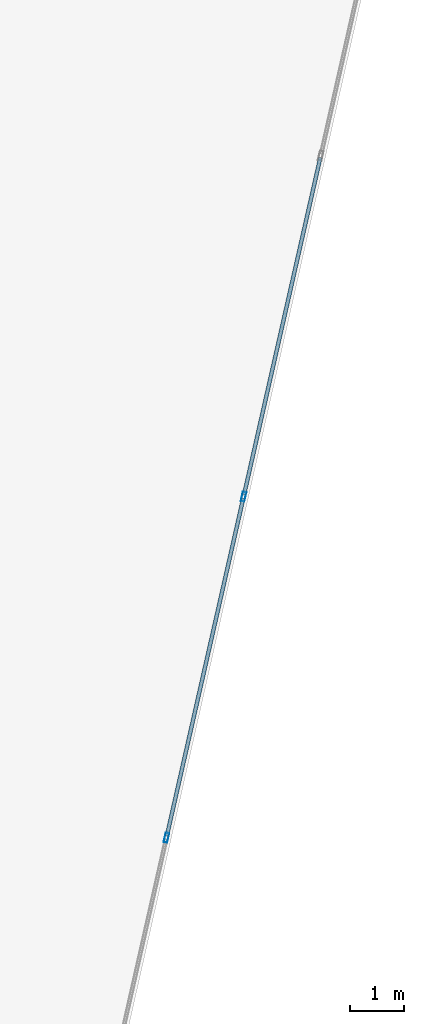
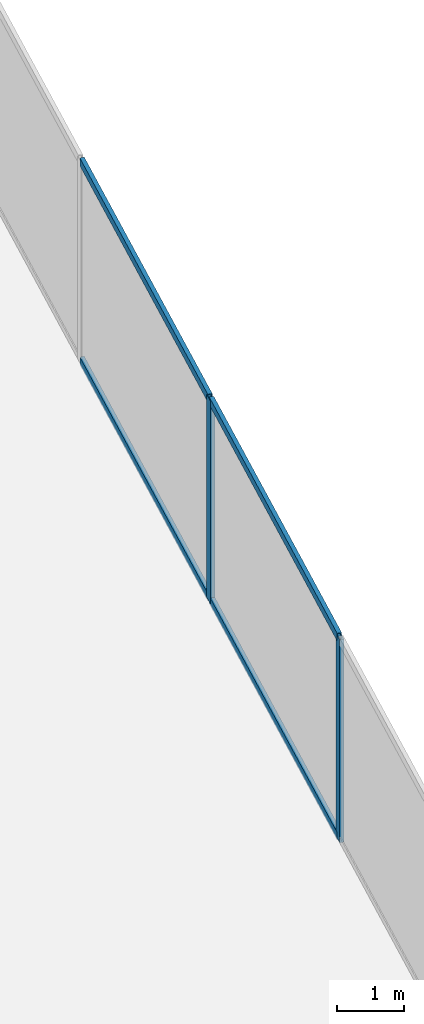
# One storey, part 13 of 26: 6 members, 1 element without a shape of its own.
"""IFC4 building model written with IfcOpenShell, lengths in metres."""

import ifcopenshell
import ifcopenshell.guid

model = None  # the IFC model being written
_history = None  # IfcOwnerHistory: only IFC2X3 demands one
_inside = {}  # id of a spatial element -> (the spatial element, [elements in it])
_under = {}  # id of a project, library or spatial element -> (it, [spatial elements below it])
_declared = {}  # id of a project -> (the project, [libraries it declares])
_typed = {}  # id of a type object -> (the type object, [elements of that type])
_made_of = {}  # id of a material, layer set ... -> (it, [elements and type objects made of it])


def new_model(schema):
    """Start an empty IFC model of exactly this schema.

    Asked for "IFC4X3", IfcOpenShell would pick the latest addendum, in which some entities
    have other attributes; the version numbers below select the first issue.
    IFC2X3 requires an IfcOwnerHistory on every rooted entity: one is made here for all.
    """
    global model, _history
    if schema == "IFC4X3":
        model = ifcopenshell.file(schema_version=(4, 3, 0, 0))
    else:
        model = ifcopenshell.file(schema=schema)
    _inside.clear()
    _under.clear()
    _declared.clear()
    _typed.clear()
    _made_of.clear()
    _history = None
    if model.schema == "IFC2X3":
        org = make("IfcOrganization", Name="unknown")
        user = make(
            "IfcPersonAndOrganization",
            ThePerson=make("IfcPerson", FamilyName="unknown"),
            TheOrganization=org,
        )
        app = make(
            "IfcApplication",
            ApplicationDeveloper=org,
            Version="unknown",
            ApplicationFullName="unknown",
            ApplicationIdentifier="unknown",
        )
        _history = make(
            "IfcOwnerHistory",
            OwningUser=user,
            OwningApplication=app,
            ChangeAction="ADDED",
            CreationDate=0,
        )
    return model


def make(cls, **values):
    """One entity of the class cls with the attributes given. An attribute that is None is left unset."""
    return model.create_entity(
        cls, **{name: value for name, value in values.items() if value is not None}
    )


def rooted(cls, **values):
    """An entity with a GlobalId (a new one), such as an element, a storey or a relation."""
    return make(cls, GlobalId=ifcopenshell.guid.new(), OwnerHistory=_history, **values)


def si_unit(unit_type, name, prefix=None):
    """IfcSIUnit, for example si_unit("LENGTHUNIT", "METRE", prefix="MILLI")."""
    return make("IfcSIUnit", UnitType=unit_type, Prefix=prefix, Name=name)


def assignment(units):
    """IfcUnitAssignment: the units of a project."""
    return None if units is None else make("IfcUnitAssignment", Units=units)


def point(xyz):
    """IfcCartesianPoint."""
    return None if xyz is None else make("IfcCartesianPoint", Coordinates=xyz)


def direction(xyz):
    """IfcDirection."""
    return None if xyz is None else make("IfcDirection", DirectionRatios=xyz)


def frame(location, z_axis=None, x_axis=None):
    """IfcAxis2Placement3D, a coordinate frame: its origin and axes. An axis left out is left unset."""
    return make(
        "IfcAxis2Placement3D",
        Location=point(location),
        Axis=direction(z_axis),
        RefDirection=direction(x_axis),
    )


def frame_2d(location, x_axis=None):
    """IfcAxis2Placement2D, a coordinate frame in the plane: its origin and x axis."""
    return make(
        "IfcAxis2Placement2D", Location=point(location), RefDirection=direction(x_axis)
    )


def origin():
    """The frame at (0, 0, 0) with its axes left unset."""
    return frame((0.0, 0.0, 0.0))


def origin_2d():
    """The frame at (0, 0) in the plane with its x axis left unset."""
    return frame_2d((0.0, 0.0))


def place(relative_to, where):
    """IfcLocalPlacement: puts the frame where relative to a parent placement (None: the world)."""
    return make(
        "IfcLocalPlacement", PlacementRelTo=relative_to, RelativePlacement=where
    )


def context(
    kind, dimensions, precision=None, world=None, true_north=None, identifier=None
):
    """IfcGeometricRepresentationContext, for example the 3D "Model" context."""
    return make(
        "IfcGeometricRepresentationContext",
        ContextIdentifier=identifier,
        ContextType=kind,
        CoordinateSpaceDimension=dimensions,
        Precision=precision,
        WorldCoordinateSystem=world,
        TrueNorth=true_north,
    )


def subcontext(parent, identifier, kind, view, scale=None):
    """IfcGeometricRepresentationSubContext, for example "Body" below "Model"."""
    return make(
        "IfcGeometricRepresentationSubContext",
        ContextIdentifier=identifier,
        ContextType=kind,
        ParentContext=parent,
        TargetScale=scale,
        TargetView=view,
    )


def project(units=None, contexts=None):
    """IfcProject with its units and contexts."""
    return rooted(
        "IfcProject",
        Name="project",
        RepresentationContexts=contexts,
        UnitsInContext=assignment(units),
    )


def spatial(cls, under=None, at=None, **own):
    """A site, building, storey or space (cls), placed at a placement, below another one or the project."""
    s = rooted(cls, ObjectPlacement=at, **own)
    if under is not None:
        _under.setdefault(under.id(), (under, []))[1].append(s)
    return s


def profile(cls, at=None, kind="AREA", **sizes):
    """A parametric profile (cls). Its sizes go by their IFC names, for example OverallWidth=200.0."""
    return make(cls, ProfileType=kind, Position=at, **sizes)


def hollow_rectangle(**sizes):
    """IfcRectangleHollowProfileDef."""
    return profile("IfcRectangleHollowProfileDef", **sizes)


def extrude(swept, where, along, depth):
    """IfcExtrudedAreaSolid: the profile swept, set in the frame where, extruded along a direction by depth."""
    return make(
        "IfcExtrudedAreaSolid",
        SweptArea=swept,
        Position=where,
        ExtrudedDirection=direction(along),
        Depth=depth,
    )


def shape(context_of_items, identifier, shape_type, items):
    """IfcShapeRepresentation: the items that make up one representation, for example the "Body"."""
    return make(
        "IfcShapeRepresentation",
        ContextOfItems=context_of_items,
        RepresentationIdentifier=identifier,
        RepresentationType=shape_type,
        Items=items,
    )


def source(mapping_origin, context_of_items, identifier, shape_type, items):
    """IfcRepresentationMap: a shape defined once, which mapped items show again and again."""
    return make(
        "IfcRepresentationMap",
        MappingOrigin=mapping_origin,
        MappedRepresentation=shape(context_of_items, identifier, shape_type, items),
    )


def transform(
    local_origin,
    x_axis=None,
    y_axis=None,
    z_axis=None,
    scale=None,
    scale2=None,
    scale3=None,
    uniform=True,
):
    """IfcCartesianTransformationOperator3D, or its non-uniform kind. x_axis, y_axis, z_axis: its Axis1, 2, 3."""
    if uniform:
        return make(
            "IfcCartesianTransformationOperator3D",
            Axis1=direction(x_axis),
            Axis2=direction(y_axis),
            LocalOrigin=point(local_origin),
            Scale=scale,
            Axis3=direction(z_axis),
        )
    return make(
        "IfcCartesianTransformationOperator3DnonUniform",
        Axis1=direction(x_axis),
        Axis2=direction(y_axis),
        LocalOrigin=point(local_origin),
        Scale=scale,
        Axis3=direction(z_axis),
        Scale2=scale2,
        Scale3=scale3,
    )


def mapped(mapping_source, mapping_target):
    """IfcMappedItem: shows the shape of a source again, moved by a transform."""
    return make(
        "IfcMappedItem", MappingSource=mapping_source, MappingTarget=mapping_target
    )


def material(Name=None, Category=None):
    """IfcMaterial."""
    return make("IfcMaterial", Name=Name, Category=Category)


def material_profile(
    of_material, cross_section, Name=None, Category=None, Priority=None
):
    """IfcMaterialProfile: a cross section and its material."""
    return make(
        "IfcMaterialProfile",
        Name=Name,
        Material=of_material,
        Profile=cross_section,
        Priority=Priority,
        Category=Category,
    )


def profile_set(profiles, Name=None, composite=None):
    """IfcMaterialProfileSet."""
    return make(
        "IfcMaterialProfileSet",
        Name=Name,
        MaterialProfiles=profiles,
        CompositeProfile=composite,
    )


def made_of(thing, what):
    """Note that an element or type object is made of a material, layer set ...; save() writes the relation."""
    if what is not None:
        _made_of.setdefault(what.id(), (what, []))[1].append(thing)
    return thing


def type_object(cls, material=None, **own):
    """A type object (cls), such as IfcWallType, which elements share."""
    return made_of(rooted(cls, **own), material)


def type_shapes(of_type, sources):
    """Give a type object the sources (RepresentationMaps) that its elements show as mapped items."""
    of_type.RepresentationMaps = sources


def element(
    cls,
    number,
    at=None,
    inside=None,
    cuts=None,
    type_object=None,
    material=None,
    context=None,
    identifier="Body",
    shape_type=None,
    held_by="IfcProductDefinitionShape",
    body=None,
    shapes=None,
    **own,
):
    """One element of the class cls, such as IfcWall. Its Tag is "e" and its number.

    at: its placement. inside: the storey or other place that contains it. cuts: it is an
    opening in that element (IfcRelVoidsElement). A single representation is given by context,
    identifier, shape_type and body (its items); several are given by shapes. held_by: the class
    of the entity that holds the representations. save() writes the other relations.
    """
    e = rooted(cls, Tag="e%d" % number, ObjectPlacement=at, **own)
    if body is not None:
        shapes = [shape(context, identifier, shape_type, body)]
    if shapes is not None:
        e.Representation = make(held_by, Representations=shapes)
    if inside is not None:
        _inside.setdefault(inside.id(), (inside, []))[1].append(e)
    if cuts is not None:
        rooted(
            "IfcRelVoidsElement", RelatingBuildingElement=cuts, RelatedOpeningElement=e
        )
    if type_object is not None:
        _typed.setdefault(type_object.id(), (type_object, []))[1].append(e)
    return made_of(e, material)


def aggregate(whole, parts):
    """IfcRelAggregates: a whole, such as a stair, and the parts it consists of."""
    return rooted("IfcRelAggregates", RelatingObject=whole, RelatedObjects=parts)


def save(model, path):
    """Write the relations noted so far, then the file.

    IfcRelAggregates (storeys below a building ...), IfcRelContainedInSpatialStructure (elements
    in a storey), IfcRelDefinesByType, IfcRelAssociatesMaterial and IfcRelDeclares: one each for
    every whole, place, type object, material and project.
    """
    for whole, parts in _under.values():
        aggregate(whole, parts)
    for where, things in _inside.values():
        rooted(
            "IfcRelContainedInSpatialStructure",
            RelatedElements=things,
            RelatingStructure=where,
        )
    for kind, things in _typed.values():
        rooted("IfcRelDefinesByType", RelatedObjects=things, RelatingType=kind)
    for what, things in _made_of.values():
        rooted("IfcRelAssociatesMaterial", RelatedObjects=things, RelatingMaterial=what)
    for by, libraries in _declared.values():
        rooted("IfcRelDeclares", RelatingContext=by, RelatedDefinitions=libraries)
    model.write(path)


model = new_model("IFC4")

# Units and contexts
model_context = context("Model", 3, precision=1e-05, world=origin(), true_north=direction((0.0, 1.0)))
body_context = subcontext(model_context, "Body", "Model", "MODEL_VIEW")
ifc_project = project(units=[si_unit("LENGTHUNIT", "METRE"), si_unit("AREAUNIT", "SQUARE_METRE"), si_unit("VOLUMEUNIT", "CUBIC_METRE"), si_unit("PLANEANGLEUNIT", "RADIAN"), si_unit("MASSUNIT", "GRAM", prefix="KILO")], contexts=[model_context])

# Site, building, storey
site_placement = place(None, origin())
site = spatial("IfcSite", under=ifc_project, at=site_placement, CompositionType="ELEMENT")
building_placement = place(site_placement, origin())
building = spatial("IfcBuilding", under=site, at=building_placement, Name="Krantzveldt Concourse Tower", CompositionType="ELEMENT")
storey_placement = place(building_placement, frame((0.0, 0.0, 90.050048828125)))
storey = spatial("IfcBuildingStorey", under=building, at=storey_placement, Name="L21", CompositionType="ELEMENT", Elevation=90.050048828125)

# Curtain wall, members
ifc_material = material(Name="Anodised aluminium 6063-T6", Category="aluminium")
curtain_wall_type = type_object("IfcCurtainWallType", Name="CW2", PredefinedType="USERDEFINED", material=ifc_material)
curtain_wall_placement = place(storey_placement, origin())
curtain_wall = element("IfcCurtainWall", 1, at=curtain_wall_placement, inside=storey, type_object=curtain_wall_type, Name="CW-L21-F07", ObjectType="UNITISED CURTAIN WALL", PredefinedType="USERDEFINED")
ifc_material_profile_1 = material_profile(ifc_material, hollow_rectangle(XDim=0.070068359375, YDim=0.179931640625, WallThickness=0.0048828125, at=origin_2d()), Name="Anodised aluminium 6063-T6", Category="aluminium")
ifc_profile_set_1 = profile_set([ifc_material_profile_1], Name="Anodised aluminium 6063-T6 - ALU-MULL 180x70x5")
member_type_1 = type_object("IfcMemberType", Name="CW-MUL-180", PredefinedType="MULLION", material=ifc_profile_set_1)
shared_shape_1 = source(origin(), body_context, "Body", "SweptSolid", [
    extrude(hollow_rectangle(XDim=0.070068359375, YDim=0.179931640625, WallThickness=0.0048828125, at=origin_2d()), origin(), (0.0, 0.0, 1.0), 3.669921875),
])
type_shapes(member_type_1, [shared_shape_1])
member_1_placement = place(storey_placement, frame((58.7353515625, 21.555419921875, 0.0), z_axis=(0.0, 0.0, 1.0), x_axis=(-0.975342320609, 0.220697434579, 0.0)))
member_1 = element("IfcMember", 2, at=member_1_placement, type_object=member_type_1, Name="CW-Z12 mullion 4", PredefinedType="MULLION", context=body_context, shape_type="MappedRepresentation", body=[
    mapped(shared_shape_1, transform((0.0, 0.0, 0.0), x_axis=(1.0, 0.0, 0.0), y_axis=(0.0, 1.0, 0.0), z_axis=(0.0, 0.0, 1.0), scale=1.0)),
])
member_2_placement = place(storey_placement, frame((60.162353515625, 27.86279296875, 0.0), z_axis=(0.0, 0.0, 1.0), x_axis=(-0.975342320609, 0.220697434579, 0.0)))
member_2 = element("IfcMember", 3, at=member_2_placement, type_object=member_type_1, Name="CW-Z12 mullion 5", PredefinedType="MULLION", context=body_context, shape_type="MappedRepresentation", body=[
    mapped(shared_shape_1, transform((0.0, 0.0, 0.0), x_axis=(1.0, 0.0, 0.0), y_axis=(0.0, 1.0, 0.0), z_axis=(0.0, 0.0, 1.0), scale=1.0)),
])
ifc_material_profile_2 = material_profile(ifc_material, hollow_rectangle(XDim=0.070068359375, YDim=0.139892578125, WallThickness=0.0048828125, at=origin_2d()), Name="Anodised aluminium 6063-T6", Category="aluminium")
ifc_profile_set_2 = profile_set([ifc_material_profile_2], Name="Anodised aluminium 6063-T6 - ALU-TRAN 140x70x5")
member_type_2 = type_object("IfcMemberType", Name="CW-TRN-150", PredefinedType="USERDEFINED", material=ifc_profile_set_2)
shared_shape_2 = source(origin(), body_context, "Body", "SweptSolid", [
    extrude(hollow_rectangle(XDim=0.070068359375, YDim=0.139892578125, WallThickness=0.0048828125, at=origin_2d()), origin(), (0.0, 0.0, 1.0), 6.396728515625),
])
member_3_placement = place(storey_placement, frame((58.742919921875, 21.589599609375, 0.034912109375), z_axis=(0.220715365874, 0.975338262998, 0.0), x_axis=(-0.975338262998, 0.220715365874, 0.0)))
member_3 = element("IfcMember", 4, at=member_3_placement, type_object=member_type_2, Name="CW-Z12 transom 4.1", ObjectType="TRANSOM", PredefinedType="USERDEFINED", context=body_context, shape_type="MappedRepresentation", body=[
    mapped(shared_shape_2, transform((0.0, 0.0, 0.0), x_axis=(1.0, 0.0, 0.0), y_axis=(0.0, 1.0, 0.0), z_axis=(0.0, 0.0, 1.0), scale=1.0)),
])
member_4_placement = place(storey_placement, frame((58.742919921875, 21.589599609375, 3.635009765625), z_axis=(0.220715365874, 0.975338262998, 0.0), x_axis=(-0.975338262998, 0.220715365874, 0.0)))
member_4 = element("IfcMember", 5, at=member_4_placement, type_object=member_type_2, Name="CW-Z12 transom 4.2", ObjectType="TRANSOM", PredefinedType="USERDEFINED", context=body_context, shape_type="MappedRepresentation", body=[
    mapped(shared_shape_2, transform((0.0, 0.0, 0.0), x_axis=(1.0, 0.0, 0.0), y_axis=(0.0, 1.0, 0.0), z_axis=(0.0, 0.0, 1.0), scale=1.0)),
])
shared_shape_3 = source(origin(), body_context, "Body", "SweptSolid", [
    extrude(hollow_rectangle(XDim=0.070068359375, YDim=0.139892578125, WallThickness=0.0048828125, at=origin_2d()), origin(), (0.0, 0.0, 1.0), 6.396484375),
])
type_shapes(member_type_2, [shared_shape_2, shared_shape_3])
member_5_placement = place(storey_placement, frame((60.170166015625, 27.89697265625, 0.034912109375), z_axis=(0.220687273667, 0.975344619733, 0.0), x_axis=(-0.975344619733, 0.220687273667, 0.0)))
member_5 = element("IfcMember", 6, at=member_5_placement, type_object=member_type_2, Name="CW-Z12 transom 5.1", ObjectType="TRANSOM", PredefinedType="USERDEFINED", context=body_context, shape_type="MappedRepresentation", body=[
    mapped(shared_shape_3, transform((0.0, 0.0, 0.0), x_axis=(1.0, 0.0, 0.0), y_axis=(0.0, 1.0, 0.0), z_axis=(0.0, 0.0, 1.0), scale=1.0)),
])
member_6_placement = place(storey_placement, frame((60.170166015625, 27.89697265625, 3.635009765625), z_axis=(0.220687273667, 0.975344619733, 0.0), x_axis=(-0.975344619733, 0.220687273667, 0.0)))
member_6 = element("IfcMember", 7, at=member_6_placement, type_object=member_type_2, Name="CW-Z12 transom 5.2", ObjectType="TRANSOM", PredefinedType="USERDEFINED", context=body_context, shape_type="MappedRepresentation", body=[
    mapped(shared_shape_3, transform((0.0, 0.0, 0.0), x_axis=(1.0, 0.0, 0.0), y_axis=(0.0, 1.0, 0.0), z_axis=(0.0, 0.0, 1.0), scale=1.0)),
])
aggregate(curtain_wall, [member_1, member_2, member_3, member_4, member_5, member_6])

save(model, "model.ifc")
